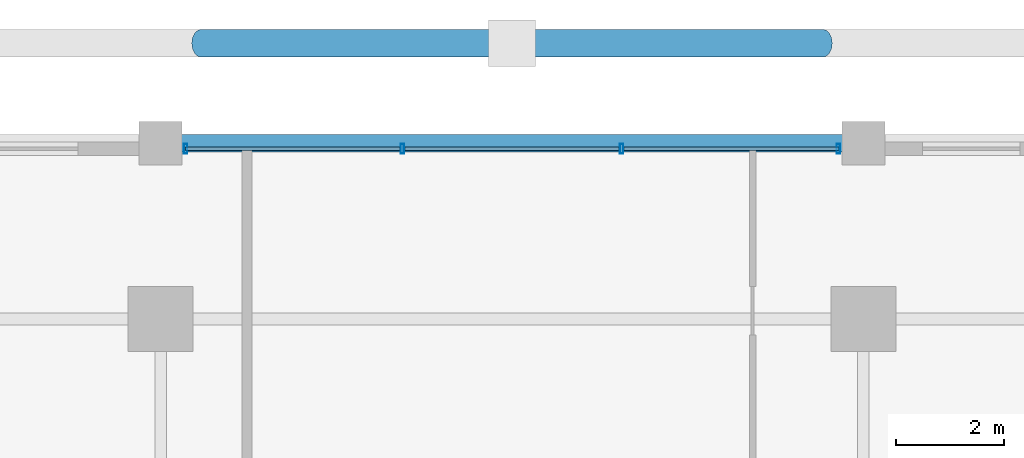
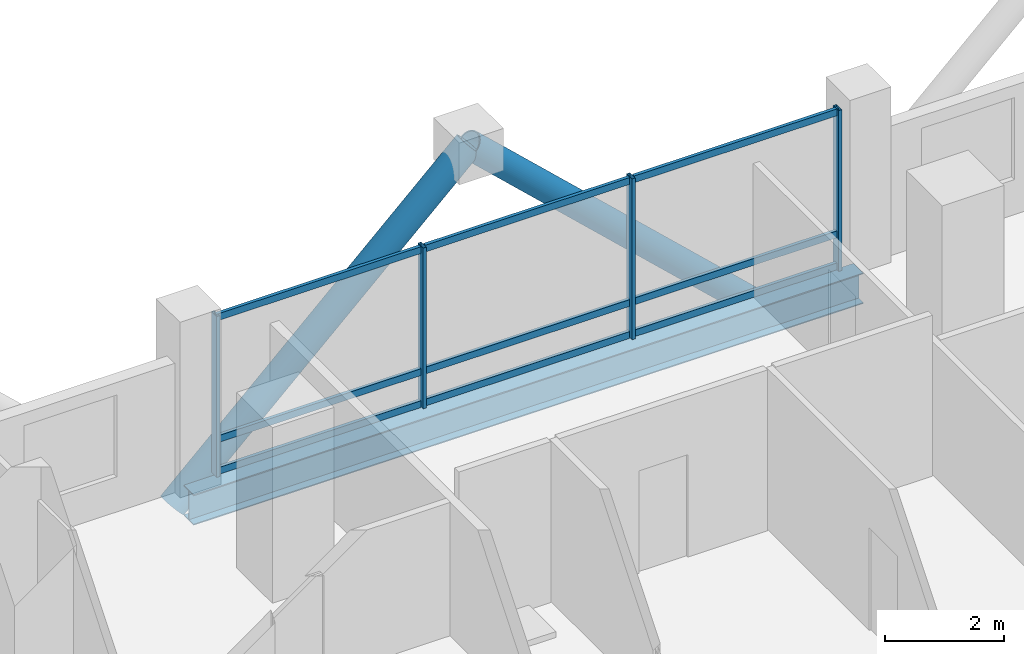
# One storey, part 13 of 23: 15 members, 1 beam, 1 element without a shape of its own.
"""IFC4 building model written with IfcOpenShell, lengths in metres."""

from ifc_helpers import new_model, si_unit, direction, frame, origin, origin_2d, place, context, subcontext, project, spatial, hollow_rectangle, hollow_circle, i_section, extrude, material, layer, layer_set, material_profile, profile_set, type_object, element, aggregate, save


model = new_model("IFC4")

# Units and contexts
model_context = context("Model", 3, precision=1e-05, world=origin(), true_north=direction((0.0, 1.0)))
body_context = subcontext(model_context, "Body", "Model", "MODEL_VIEW")
ifc_project = project(units=[si_unit("LENGTHUNIT", "METRE"), si_unit("AREAUNIT", "SQUARE_METRE"), si_unit("VOLUMEUNIT", "CUBIC_METRE"), si_unit("PLANEANGLEUNIT", "RADIAN"), si_unit("MASSUNIT", "GRAM", prefix="KILO")], contexts=[model_context])

# Site, building, storey
site_placement = place(None, origin())
site = spatial("IfcSite", under=ifc_project, at=site_placement, CompositionType="ELEMENT")
building_placement = place(site_placement, origin())
building = spatial("IfcBuilding", under=site, at=building_placement, Name="Barlavira Tower and Art Museum", CompositionType="ELEMENT")
storey_placement = place(building_placement, frame((0.0, 0.0, 117.0)))
storey = spatial("IfcBuildingStorey", under=building, at=storey_placement, Name="L29", CompositionType="ELEMENT", Elevation=117.0)

# Curtain wall, members
ifc_material_1 = material(Name="Low-iron coastal laminated glass", Category="glass")
ifc_layer = layer(ifc_material_1, 0.18994140625, Name="Low-iron coastal laminated glass")
ifc_layer_set = layer_set([ifc_layer], Name="Low-iron coastal laminated glass")
curtain_wall_type = type_object("IfcCurtainWallType", Name="Pale-Metal Unitised Curtain Wall Zone 2", PredefinedType="NOTDEFINED", material=ifc_layer_set)
curtain_wall_placement = place(storey_placement, origin())
curtain_wall = element("IfcCurtainWall", 1, at=curtain_wall_placement, inside=storey, type_object=curtain_wall_type, Name="L29 Curtain Wall CW2-L29-N-B3", PredefinedType="NOTDEFINED")
ifc_material_2 = material(Name="Pale anodised aluminium", Category="aluminium")
ifc_material_profile_1 = material_profile(ifc_material_2, hollow_rectangle(XDim=0.06494140625, YDim=0.179931640625, WallThickness=0.00390625, at=origin_2d()), Name="ALU-MULL 65x180x4")
ifc_profile_set_1 = profile_set([ifc_material_profile_1], Name="Pale anodised aluminium")
member_type_1 = type_object("IfcMemberType", Name="Curtain Wall Pale-Metal Mullion 65x180", PredefinedType="MULLION", material=ifc_profile_set_1)
member_1_placement = place(storey_placement, frame((6.034912109375, 23.14990234375, 0.0), z_axis=(0.0, 0.0, 1.0), x_axis=(-1.0, 0.0, 0.0)))
member_1 = element("IfcMember", 2, at=member_1_placement, type_object=member_type_1, Name="CW2-L29-N-B3 Mullion 0", PredefinedType="MULLION", context=body_context, shape_type="SweptSolid", body=[
    extrude(hollow_rectangle(XDim=0.06494140625, YDim=0.179931640625, WallThickness=0.00390625, at=origin_2d()), origin(), (0.0, 0.0, 1.0), 3.300048828125),
])
member_2_placement = place(storey_placement, frame((2.026611328125, 23.14990234375, 0.0), z_axis=(0.0, 0.0, 1.0), x_axis=(-1.0, 0.0, 0.0)))
member_2 = element("IfcMember", 3, at=member_2_placement, type_object=member_type_1, Name="CW2-L29-N-B3 Mullion 1", PredefinedType="MULLION", context=body_context, shape_type="SweptSolid", body=[
    extrude(hollow_rectangle(XDim=0.06494140625, YDim=0.179931640625, WallThickness=0.00390625, at=origin_2d()), origin(), (0.0, 0.0, 1.0), 3.300048828125),
])
member_3_placement = place(storey_placement, frame((-2.026611328125, 23.14990234375, 0.0), z_axis=(0.0, 0.0, 1.0), x_axis=(-1.0, 0.0, 0.0)))
member_3 = element("IfcMember", 4, at=member_3_placement, type_object=member_type_1, Name="CW2-L29-N-B3 Mullion 2", PredefinedType="MULLION", context=body_context, shape_type="SweptSolid", body=[
    extrude(hollow_rectangle(XDim=0.06494140625, YDim=0.179931640625, WallThickness=0.00390625, at=origin_2d()), origin(), (0.0, 0.0, 1.0), 3.300048828125),
])
member_4_placement = place(storey_placement, frame((-6.034912109375, 23.14990234375, 0.0), z_axis=(0.0, 0.0, 1.0), x_axis=(-1.0, 0.0, 0.0)))
member_4 = element("IfcMember", 5, at=member_4_placement, type_object=member_type_1, Name="CW2-L29-N-B3 Mullion 3", PredefinedType="MULLION", context=body_context, shape_type="SweptSolid", body=[
    extrude(hollow_rectangle(XDim=0.06494140625, YDim=0.179931640625, WallThickness=0.00390625, at=origin_2d()), origin(), (0.0, 0.0, 1.0), 3.300048828125),
])
ifc_material_profile_2 = material_profile(ifc_material_2, hollow_rectangle(XDim=0.06494140625, YDim=0.139892578125, WallThickness=0.00390625, at=origin_2d()), Name="ALU-TRAN 65x140x4")
ifc_profile_set_2 = profile_set([ifc_material_profile_2], Name="Pale anodised aluminium")
member_type_2 = type_object("IfcMemberType", Name="Curtain Wall Pale-Metal Transom 65x140", PredefinedType="USERDEFINED", material=ifc_profile_set_2)
member_5_placement = place(storey_placement, frame((6.034912109375, 23.14990234375, 0.070068359375), z_axis=(-1.0, 0.0, 0.0), x_axis=(0.0, -1.0, 0.0)))
member_5 = element("IfcMember", 6, at=member_5_placement, type_object=member_type_2, Name="CW2-L29-N-B3 Transom 0.1", ObjectType="TRANSOM", PredefinedType="USERDEFINED", context=body_context, shape_type="SweptSolid", body=[
    extrude(hollow_rectangle(XDim=0.06494140625, YDim=0.139892578125, WallThickness=0.00390625, at=origin_2d()), origin(), (0.0, 0.0, 1.0), 3.963134765625),
])
member_6_placement = place(storey_placement, frame((6.034912109375, 23.14990234375, 0.72607421875), z_axis=(-1.0, 0.0, 0.0), x_axis=(0.0, -1.0, 0.0)))
member_6 = element("IfcMember", 7, at=member_6_placement, type_object=member_type_2, Name="CW2-L29-N-B3 Transom 0.2", ObjectType="TRANSOM", PredefinedType="USERDEFINED", context=body_context, shape_type="SweptSolid", body=[
    extrude(hollow_rectangle(XDim=0.06494140625, YDim=0.139892578125, WallThickness=0.00390625, at=origin_2d()), origin(), (0.0, 0.0, 1.0), 3.963134765625),
])
member_7_placement = place(storey_placement, frame((6.034912109375, 23.14990234375, 3.22998046875), z_axis=(-1.0, 0.0, 0.0), x_axis=(0.0, -1.0, 0.0)))
member_7 = element("IfcMember", 8, at=member_7_placement, type_object=member_type_2, Name="CW2-L29-N-B3 Transom 0.3", ObjectType="TRANSOM", PredefinedType="USERDEFINED", context=body_context, shape_type="SweptSolid", body=[
    extrude(hollow_rectangle(XDim=0.06494140625, YDim=0.139892578125, WallThickness=0.00390625, at=origin_2d()), origin(), (0.0, 0.0, 1.0), 3.963134765625),
])
member_8_placement = place(storey_placement, frame((1.981689453125, 23.14990234375, 0.070068359375), z_axis=(-1.0, 0.0, 0.0), x_axis=(0.0, -1.0, 0.0)))
member_8 = element("IfcMember", 9, at=member_8_placement, type_object=member_type_2, Name="CW2-L29-N-B3 Transom 1.1", ObjectType="TRANSOM", PredefinedType="USERDEFINED", context=body_context, shape_type="SweptSolid", body=[
    extrude(hollow_rectangle(XDim=0.06494140625, YDim=0.139892578125, WallThickness=0.00390625, at=origin_2d()), origin(), (0.0, 0.0, 1.0), 3.96337890625),
])
member_9_placement = place(storey_placement, frame((1.981689453125, 23.14990234375, 0.72607421875), z_axis=(-1.0, 0.0, 0.0), x_axis=(0.0, -1.0, 0.0)))
member_9 = element("IfcMember", 10, at=member_9_placement, type_object=member_type_2, Name="CW2-L29-N-B3 Transom 1.2", ObjectType="TRANSOM", PredefinedType="USERDEFINED", context=body_context, shape_type="SweptSolid", body=[
    extrude(hollow_rectangle(XDim=0.06494140625, YDim=0.139892578125, WallThickness=0.00390625, at=origin_2d()), origin(), (0.0, 0.0, 1.0), 3.96337890625),
])
member_10_placement = place(storey_placement, frame((1.981689453125, 23.14990234375, 3.22998046875), z_axis=(-1.0, 0.0, 0.0), x_axis=(0.0, -1.0, 0.0)))
member_10 = element("IfcMember", 11, at=member_10_placement, type_object=member_type_2, Name="CW2-L29-N-B3 Transom 1.3", ObjectType="TRANSOM", PredefinedType="USERDEFINED", context=body_context, shape_type="SweptSolid", body=[
    extrude(hollow_rectangle(XDim=0.06494140625, YDim=0.139892578125, WallThickness=0.00390625, at=origin_2d()), origin(), (0.0, 0.0, 1.0), 3.96337890625),
])
member_11_placement = place(storey_placement, frame((-2.07177734375, 23.14990234375, 0.070068359375), z_axis=(-1.0, 0.0, 0.0), x_axis=(0.0, -1.0, 0.0)))
member_11 = element("IfcMember", 12, at=member_11_placement, type_object=member_type_2, Name="CW2-L29-N-B3 Transom 2.1", ObjectType="TRANSOM", PredefinedType="USERDEFINED", context=body_context, shape_type="SweptSolid", body=[
    extrude(hollow_rectangle(XDim=0.06494140625, YDim=0.139892578125, WallThickness=0.00390625, at=origin_2d()), origin(), (0.0, 0.0, 1.0), 3.963134765625),
])
member_12_placement = place(storey_placement, frame((-2.07177734375, 23.14990234375, 0.72607421875), z_axis=(-1.0, 0.0, 0.0), x_axis=(0.0, -1.0, 0.0)))
member_12 = element("IfcMember", 13, at=member_12_placement, type_object=member_type_2, Name="CW2-L29-N-B3 Transom 2.2", ObjectType="TRANSOM", PredefinedType="USERDEFINED", context=body_context, shape_type="SweptSolid", body=[
    extrude(hollow_rectangle(XDim=0.06494140625, YDim=0.139892578125, WallThickness=0.00390625, at=origin_2d()), origin(), (0.0, 0.0, 1.0), 3.963134765625),
])
member_13_placement = place(storey_placement, frame((-2.07177734375, 23.14990234375, 3.22998046875), z_axis=(-1.0, 0.0, 0.0), x_axis=(0.0, -1.0, 0.0)))
member_13 = element("IfcMember", 14, at=member_13_placement, type_object=member_type_2, Name="CW2-L29-N-B3 Transom 2.3", ObjectType="TRANSOM", PredefinedType="USERDEFINED", context=body_context, shape_type="SweptSolid", body=[
    extrude(hollow_rectangle(XDim=0.06494140625, YDim=0.139892578125, WallThickness=0.00390625, at=origin_2d()), origin(), (0.0, 0.0, 1.0), 3.963134765625),
])
aggregate(curtain_wall, [member_1, member_2, member_3, member_4, member_5, member_6, member_7, member_8, member_9, member_10, member_11, member_12, member_13])

# Members
ifc_material_3 = material(Name="Steel S355", Category="steel")
ifc_material_profile_3 = material_profile(ifc_material_3, hollow_circle(Radius=0.25390625, WallThickness=0.022216796875, at=origin_2d()), Name="CHS 508.0x22.2")
ifc_profile_set_3 = profile_set([ifc_material_profile_3], Name="Steel S355")
member_type_3 = type_object("IfcMemberType", Name="Pale-Metal Exoskeleton Diagrid Tube CHS 508x22 Steel S355", PredefinedType="BRACE", material=ifc_profile_set_3)
for number, where, z_axis, x_axis, name in (
    (15, (-5.75, 25.10009765625, -1.919921875), (0.728950095515, 0.0, 0.684566839869), (0.0, 1.0, 0.0), "L29 Exoskeleton Diagrid Tube N"),
    (16, (5.75, 25.10009765625, -1.919921875), (-0.728950095515, 0.0, 0.684566839869), (0.0, -1.0, 0.0), "L29 Exoskeleton Diagrid Tube N"),
):
    element("IfcMember", number, at=place(storey_placement, frame(where, z_axis=z_axis, x_axis=x_axis)), inside=storey, type_object=member_type_3, Name=name, PredefinedType="BRACE", context=body_context, shape_type="SweptSolid", body=[
        extrude(hollow_circle(Radius=0.25390625, WallThickness=0.022216796875, at=origin_2d()), origin(), (0.0, 0.0, 1.0), 7.887939453125),
    ])

# Beam
ifc_material_profile_4 = material_profile(ifc_material_3, i_section(OverallWidth=0.327880859375, OverallDepth=0.62890625, WebThickness=0.013916015625, FlangeThickness=0.021484375, at=origin_2d()), Name="W610x174.0")
ifc_profile_set_4 = profile_set([ifc_material_profile_4], Name="Steel S355")
beam_type = type_object("IfcBeamType", Name="Perimeter Spandrel Edge Beam W610x174 Steel S355", PredefinedType="SPANDREL", material=ifc_profile_set_4)
beam_placement = place(storey_placement, frame((-6.5, 23.25, -0.534423828125), z_axis=(1.0, 0.0, 0.0), x_axis=(0.0, 1.0, 0.0)))
element("IfcBeam", 17, at=beam_placement, inside=storey, type_object=beam_type, Name="L29 Spandrel 10", PredefinedType="SPANDREL", context=body_context, shape_type="SweptSolid", body=[
    extrude(i_section(OverallWidth=0.327880859375, OverallDepth=0.62890625, WebThickness=0.013916015625, FlangeThickness=0.021484375, at=origin_2d()), origin(), (0.0, 0.0, 1.0), 13.0),
])

save(model, "model.ifc")
